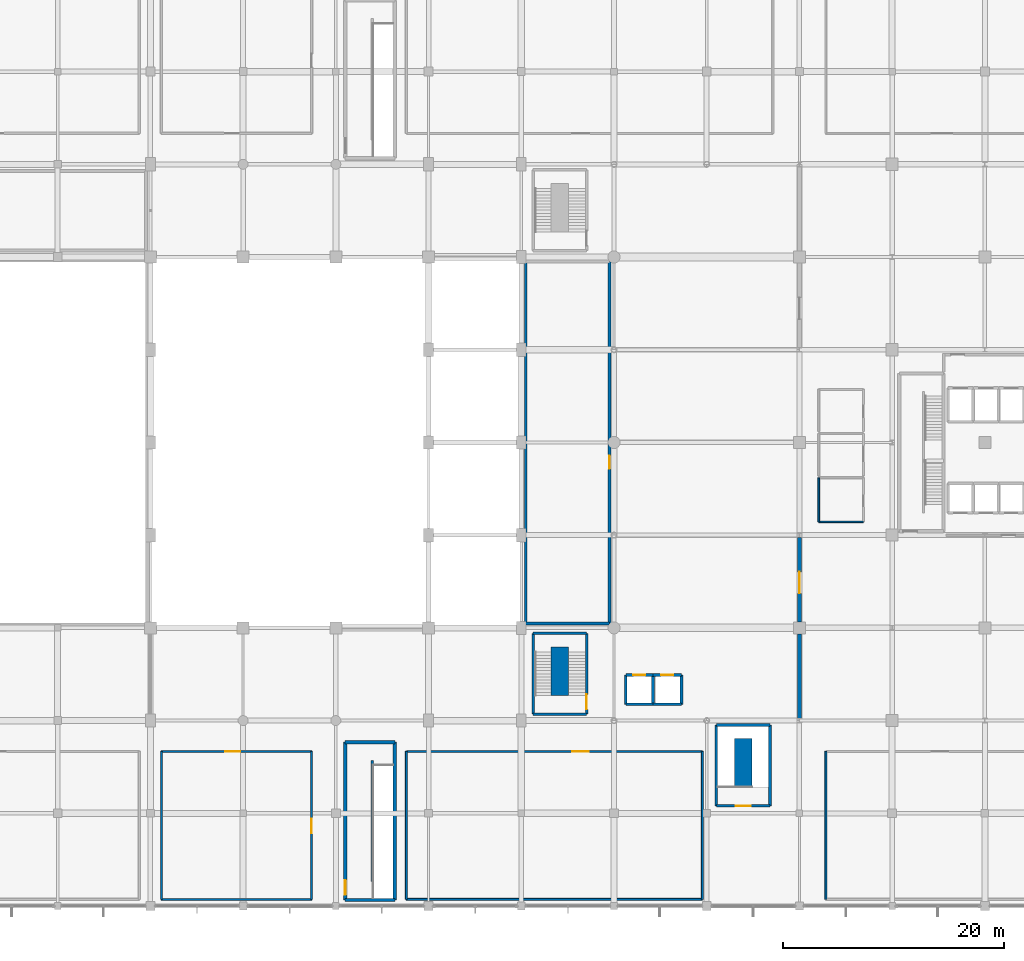
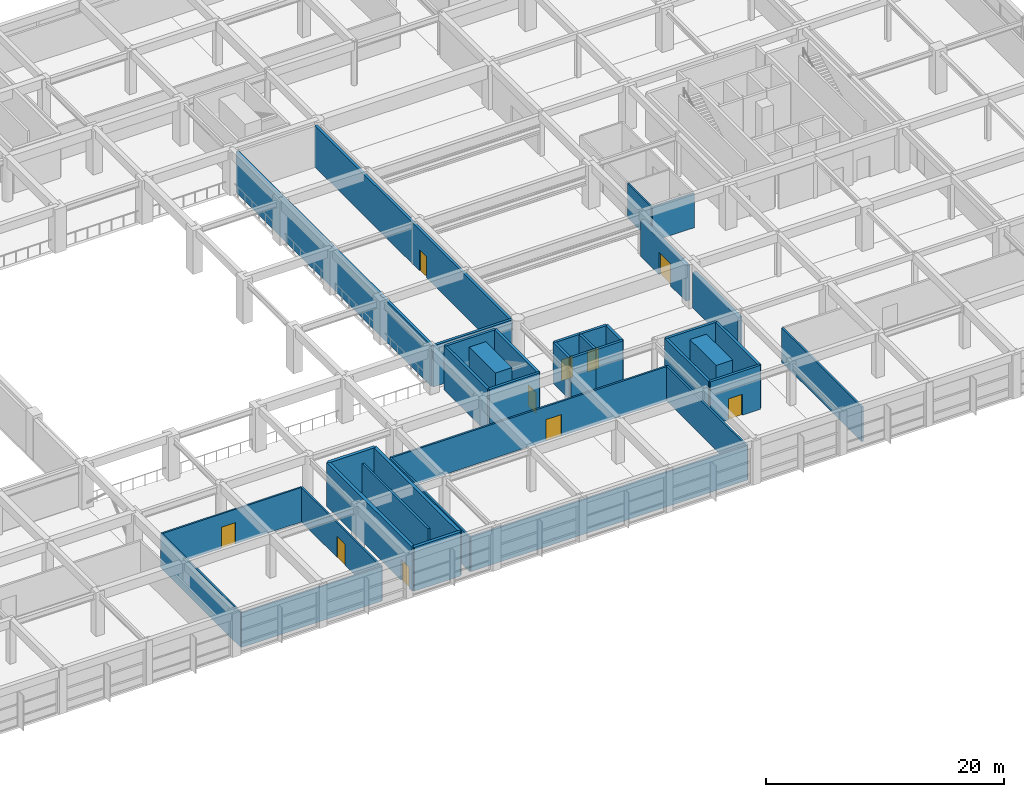
# One storey, part 43 of 56: 38 walls, 10 doors, 10 openings.
"""IFC4 building model written with IfcOpenShell, lengths in metres."""

from ifc_helpers import new_model, si_unit, direction, frame, frame_2d, origin, place, context, subcontext, project, spatial, rectangle, extrude, material, layer, layer_set, type_object, element, fill, save


model = new_model("IFC4")

# Units and contexts
model_context = context("Model", 3, precision=1e-05, world=origin(), true_north=direction((0.0, 1.0)))
body_context = subcontext(model_context, "Body", "Model", "MODEL_VIEW")
ifc_project = project(units=[si_unit("LENGTHUNIT", "METRE"), si_unit("AREAUNIT", "SQUARE_METRE"), si_unit("VOLUMEUNIT", "CUBIC_METRE"), si_unit("PLANEANGLEUNIT", "RADIAN"), si_unit("MASSUNIT", "GRAM", prefix="KILO")], contexts=[model_context])

# Site, building, storey
site_placement = place(None, origin())
site = spatial("IfcSite", under=ifc_project, at=site_placement, CompositionType="ELEMENT")
building_placement = place(site_placement, origin())
building = spatial("IfcBuilding", under=site, at=building_placement, Name="Xuanlan Plaza Opera House", CompositionType="ELEMENT")
storey_placement = place(building_placement, frame((0.0, 0.0, 18.89990234375)))
storey = spatial("IfcBuildingStorey", under=building, at=storey_placement, Name="L04", CompositionType="ELEMENT", Elevation=18.89990234375)

# Wall
ifc_material_1 = material(Name="Gypsum Board and Galvanised Steel Studs", Category="gypsum")
ifc_layer_1 = layer(ifc_material_1, 0.179931640625)
ifc_layer_set_1 = layer_set([ifc_layer_1], Name="Gypsum Board and Galvanised Steel Studs")
wall_type_1 = type_object("IfcWallType", Name="INT-WL-PW-02", PredefinedType="PARTITIONING", material=ifc_layer_set_1)
wall_1_placement = place(storey_placement, frame((90.39990234375, 17.39990234375, 0.0), z_axis=(0.0, 0.0, 1.0), x_axis=(1.0, 0.0, 0.0)))
element("IfcWall", 1, at=wall_1_placement, inside=storey, type_object=wall_type_1, Name="Audio-Visual Equipment Store Wall South", PredefinedType="PARTITIONING", context=body_context, shape_type="SweptSolid", body=[
    extrude(rectangle(XDim=26.800048828125, YDim=0.179931640625, at=frame_2d((13.39990234375, 0.0))), origin(), (0.0, 0.0, 1.0), 3.5400390625),
])

# Wall, opening, door
wall_2_placement = place(storey_placement, frame((90.39990234375, 30.800048828125, 0.0), z_axis=(0.0, 0.0, 1.0), x_axis=(1.0, 0.0, 0.0)))
wall_2 = element("IfcWall", 2, at=wall_2_placement, inside=storey, type_object=wall_type_1, Name="Audio-Visual Equipment Store Wall North", PredefinedType="PARTITIONING", context=body_context, shape_type="SweptSolid", body=[
    extrude(rectangle(XDim=26.800048828125, YDim=0.179931640625, at=frame_2d((13.39990234375, 0.0))), origin(), (0.0, 0.0, 1.0), 3.5400390625),
])
opening_1_placement = place(wall_2_placement, frame((15.0, 0.0, 0.0)))
opening_1 = element("IfcOpeningElement", 3, at=opening_1_placement, cuts=wall_2, Name="Opening D-03", PredefinedType="OPENING", context=body_context, shape_type="SweptSolid", body=[
    extrude(rectangle(XDim=1.5, YDim=2.199951171875, at=frame_2d((0.75, 1.10009765625))), frame((0.0, 0.099853515625, 0.0), z_axis=(0.0, -1.0, 0.0), x_axis=(1.0, 0.0, 0.0)), (0.0, 0.0, 1.0), 0.199951171875),
])
ifc_material_2 = material(Name="Walnut Hardwood Timber", Category="wood")
door_type_1 = type_object("IfcDoorType", Name="INT-DR-D-03", OperationType="DOUBLE_DOOR_SINGLE_SWING", PredefinedType="DOOR", material=ifc_material_2)
door_1_placement = place(opening_1_placement, origin())
door_1 = element("IfcDoor", 4, at=door_1_placement, inside=storey, type_object=door_type_1, Name="Audio-Visual Equipment Store Door 1", OperationType="DOUBLE_DOOR_SINGLE_SWING", OverallHeight=2.199951171875, OverallWidth=1.5, PredefinedType="DOOR", context=body_context, shape_type="SweptSolid", body=[
    extrude(rectangle(XDim=1.5, YDim=2.199951171875, at=frame_2d((0.75, 1.10009765625))), frame((0.0, 0.02490234375, 0.0), z_axis=(0.0, -1.0, 0.0), x_axis=(1.0, 0.0, 0.0)), (0.0, 0.0, 1.0), 0.050048828125),
])
fill(opening_1, door_1)

# Walls
for number, where, z_axis, x_axis, name in (
    (5, (90.39990234375, 17.39990234375, 0.0), (0.0, 0.0, 1.0), (0.0, 1.0, 0.0), "Audio-Visual Equipment Store Wall West"),
    (6, (117.199951171875, 17.39990234375, 0.0), (0.0, 0.0, 1.0), (0.0, 1.0, 0.0), "Audio-Visual Equipment Store Wall East"),
    (7, (128.39990234375, 17.39990234375, 0.0), (0.0, 0.0, 1.0), (0.0, 1.0, 0.0), "Performing Arts Foundation Archive Wall West"),
):
    element("IfcWall", number, at=place(storey_placement, frame(where, z_axis=z_axis, x_axis=x_axis)), inside=storey, type_object=wall_type_1, Name=name, PredefinedType="PARTITIONING", context=body_context, shape_type="SweptSolid", body=[
        extrude(rectangle(XDim=13.400146484375, YDim=0.179931640625, at=frame_2d((6.7001953125, 0.0))), origin(), (0.0, 0.0, 1.0), 3.5400390625),
    ])
ifc_material_3 = material(Name="Autoclaved Aerated Blockwork Masonry", Category="masonry")
ifc_layer_2 = layer(ifc_material_3, 0.14990234375)
ifc_layer_set_2 = layer_set([ifc_layer_2], Name="Autoclaved Aerated Blockwork Masonry")
wall_type_2 = type_object("IfcWallType", Name="INT-WL-PW-03", PredefinedType="PARTITIONING", material=ifc_layer_set_2)
wall_3_placement = place(storey_placement, frame((127.75, 51.60009765625, 0.0), z_axis=(0.0, 0.0, 1.0), x_axis=(1.0, 0.0, 0.0)))
element("IfcWall", 8, at=wall_3_placement, inside=storey, type_object=wall_type_2, Name="Public WC Wall South", PredefinedType="PARTITIONING", context=body_context, shape_type="SweptSolid", body=[
    extrude(rectangle(XDim=4.050048828125, YDim=0.14990234375, at=frame_2d((2.02490234375, 0.0))), origin(), (0.0, 0.0, 1.0), 3.5400390625),
])
wall_4_placement = place(storey_placement, frame((127.75, 51.60009765625, 0.0), z_axis=(0.0, 0.0, 1.0), x_axis=(0.0, 1.0, 0.0)))
element("IfcWall", 9, at=wall_4_placement, inside=storey, type_object=wall_type_2, Name="Public WC Wall West", PredefinedType="PARTITIONING", context=body_context, shape_type="SweptSolid", body=[
    extrude(rectangle(XDim=4.0, YDim=0.14990234375, at=frame_2d((2.0, 0.0))), origin(), (0.0, 0.0, 1.0), 3.5400390625),
])
ifc_layer_3 = layer(ifc_material_1, 0.159912109375)
ifc_layer_set_3 = layer_set([ifc_layer_3], Name="Gypsum Board and Galvanised Steel Studs")
wall_type_3 = type_object("IfcWallType", Name="INT-WL-PW-05", PredefinedType="PARTITIONING", material=ifc_layer_set_3)
wall_5_placement = place(storey_placement, frame((68.199951171875, 17.39990234375, 0.0), z_axis=(0.0, 0.0, 1.0), x_axis=(1.0, 0.0, 0.0)))
element("IfcWall", 10, at=wall_5_placement, inside=storey, type_object=wall_type_3, Name="Stage Projection and Media Studio Wall South", PredefinedType="PARTITIONING", context=body_context, shape_type="SweptSolid", body=[
    extrude(rectangle(XDim=13.60009765625, YDim=0.159912109375, at=frame_2d((6.800048828125, 0.0))), origin(), (0.0, 0.0, 1.0), 3.5400390625),
])

# Wall, opening, door
wall_6_placement = place(storey_placement, frame((68.199951171875, 30.800048828125, 0.0), z_axis=(0.0, 0.0, 1.0), x_axis=(1.0, 0.0, 0.0)))
wall_6 = element("IfcWall", 11, at=wall_6_placement, inside=storey, type_object=wall_type_3, Name="Stage Projection and Media Studio Wall North", PredefinedType="PARTITIONING", context=body_context, shape_type="SweptSolid", body=[
    extrude(rectangle(XDim=13.60009765625, YDim=0.159912109375, at=frame_2d((6.800048828125, 0.0))), origin(), (0.0, 0.0, 1.0), 3.5400390625),
])
opening_2_placement = place(wall_6_placement, frame((5.800048828125, 0.0, 0.0)))
opening_2 = element("IfcOpeningElement", 12, at=opening_2_placement, cuts=wall_6, Name="Opening D-07", PredefinedType="OPENING", context=body_context, shape_type="SweptSolid", body=[
    extrude(rectangle(XDim=1.320068359375, YDim=2.179931640625, at=frame_2d((0.66015625, 1.08984375))), frame((0.0, 0.08984375, 0.0), z_axis=(0.0, -1.0, 0.0), x_axis=(1.0, 0.0, 0.0)), (0.0, 0.0, 1.0), 0.179931640625),
])
door_type_2 = type_object("IfcDoorType", Name="INT-DR-D-07", OperationType="NOTDEFINED", PredefinedType="DOOR", material=ifc_material_2)
door_2_placement = place(opening_2_placement, origin())
door_2 = element("IfcDoor", 13, at=door_2_placement, inside=storey, type_object=door_type_2, Name="Stage Projection and Media Studio Door 1", OperationType="SINGLE_SWING_LEFT", OverallHeight=2.179931640625, OverallWidth=1.320068359375, PredefinedType="DOOR", context=body_context, shape_type="SweptSolid", body=[
    extrude(rectangle(XDim=1.320068359375, YDim=2.179931640625, at=frame_2d((0.66015625, 1.08984375))), frame((0.0, 0.02490234375, 0.0), z_axis=(0.0, -1.0, 0.0), x_axis=(1.0, 0.0, 0.0)), (0.0, 0.0, 1.0), 0.050048828125),
])
fill(opening_2, door_2)

# Wall
wall_7_placement = place(storey_placement, frame((68.199951171875, 17.39990234375, 0.0), z_axis=(0.0, 0.0, 1.0), x_axis=(0.0, 1.0, 0.0)))
element("IfcWall", 14, at=wall_7_placement, inside=storey, type_object=wall_type_3, Name="Stage Projection and Media Studio Wall West", PredefinedType="PARTITIONING", context=body_context, shape_type="SweptSolid", body=[
    extrude(rectangle(XDim=13.400146484375, YDim=0.159912109375, at=frame_2d((6.7001953125, 0.0))), origin(), (0.0, 0.0, 1.0), 3.5400390625),
])

# Wall, opening, door
wall_8_placement = place(storey_placement, frame((81.800048828125, 17.39990234375, 0.0), z_axis=(0.0, 0.0, 1.0), x_axis=(0.0, 1.0, 0.0)))
wall_8 = element("IfcWall", 15, at=wall_8_placement, inside=storey, type_object=wall_type_3, Name="Stage Projection and Media Studio Wall East", PredefinedType="PARTITIONING", context=body_context, shape_type="SweptSolid", body=[
    extrude(rectangle(XDim=13.400146484375, YDim=0.159912109375, at=frame_2d((6.7001953125, 0.0))), origin(), (0.0, 0.0, 1.0), 3.5400390625),
])
opening_3_placement = place(wall_8_placement, frame((6.0, 0.0, 0.0)))
opening_3 = element("IfcOpeningElement", 16, at=opening_3_placement, cuts=wall_8, Name="Opening D-07", PredefinedType="OPENING", context=body_context, shape_type="SweptSolid", body=[
    extrude(rectangle(XDim=1.320068359375, YDim=2.179931640625, at=frame_2d((0.66015625, 1.08984375))), frame((0.0, 0.08984375, 0.0), z_axis=(0.0, -1.0, 0.0), x_axis=(1.0, 0.0, 0.0)), (0.0, 0.0, 1.0), 0.179931640625),
])
door_3_placement = place(opening_3_placement, origin())
door_3 = element("IfcDoor", 17, at=door_3_placement, inside=storey, type_object=door_type_2, Name="Stage Projection and Media Studio Door 1", OperationType="SINGLE_SWING_LEFT", OverallHeight=2.179931640625, OverallWidth=1.320068359375, PredefinedType="DOOR", context=body_context, shape_type="SweptSolid", body=[
    extrude(rectangle(XDim=1.320068359375, YDim=2.179931640625, at=frame_2d((0.66015625, 1.08984375))), frame((0.0, 0.02490234375, 0.0), z_axis=(0.0, -1.0, 0.0), x_axis=(1.0, 0.0, 0.0)), (0.0, 0.0, 1.0), 0.050048828125),
])
fill(opening_3, door_3)

# Wall
ifc_material_4 = material(Name="Concrete C50", Category="concrete")
ifc_layer_4 = layer(ifc_material_4, 0.3798828125)
ifc_layer_set_4 = layer_set([ifc_layer_4], Name="Concrete C50")
wall_type_4 = type_object("IfcWallType", Name="INT-WL-SW-FW1", PredefinedType="SHEAR", material=ifc_layer_set_4)
wall_9_placement = place(storey_placement, frame((126.0, 33.800048828125, 0.0), z_axis=(0.0, 0.0, 1.0), x_axis=(0.0, 1.0, 0.0)))
element("IfcWall", 18, at=wall_9_placement, inside=storey, type_object=wall_type_4, Name="Opera-Tower Compartment Firewall L04-01", PredefinedType="SHEAR", context=body_context, shape_type="SweptSolid", body=[
    extrude(rectangle(XDim=7.64990234375, YDim=0.3798828125, at=frame_2d((3.824951171875, 0.0))), origin(), (0.0, 0.0, 1.0), 3.650146484375),
])

# Wall, opening, door
wall_10_placement = place(storey_placement, frame((126.0, 42.550048828125, 0.0), z_axis=(0.0, 0.0, 1.0), x_axis=(0.0, 1.0, 0.0)))
wall_10 = element("IfcWall", 19, at=wall_10_placement, inside=storey, type_object=wall_type_4, Name="Opera-Tower Compartment Firewall L04-02", PredefinedType="SHEAR", context=body_context, shape_type="SweptSolid", body=[
    extrude(rectangle(XDim=7.64990234375, YDim=0.3798828125, at=frame_2d((3.824951171875, 0.0))), origin(), (0.0, 0.0, 1.0), 3.650146484375),
])
opening_4_placement = place(wall_10_placement, frame((2.574951171875, 0.0, 0.0)))
opening_4 = element("IfcOpeningElement", 20, at=opening_4_placement, cuts=wall_10, Name="Opening FD-04", PredefinedType="OPENING", context=body_context, shape_type="SweptSolid", body=[
    extrude(rectangle(XDim=1.949951171875, YDim=2.300048828125, at=frame_2d((0.97509765625, 1.14990234375))), frame((0.0, 0.199951171875, 0.0), z_axis=(0.0, -1.0, 0.0), x_axis=(1.0, 0.0, 0.0)), (0.0, 0.0, 1.0), 0.39990234375),
])
ifc_material_5 = material(Name="Galvanised Steel Q235B", Category="steel")
door_type_3 = type_object("IfcDoorType", Name="INT-DR-FD-04", OperationType="DOUBLE_DOOR_SINGLE_SWING", PredefinedType="DOOR", material=ifc_material_5)
door_4_placement = place(opening_4_placement, origin())
door_4 = element("IfcDoor", 21, at=door_4_placement, inside=storey, type_object=door_type_3, Name="Compartment Firewall Door L04-02", OperationType="DOUBLE_DOOR_SINGLE_SWING", OverallHeight=2.300048828125, OverallWidth=1.949951171875, PredefinedType="DOOR", context=body_context, shape_type="SweptSolid", body=[
    extrude(rectangle(XDim=1.949951171875, YDim=2.300048828125, at=frame_2d((0.97509765625, 1.14990234375))), frame((0.0, 0.02490234375, 0.0), z_axis=(0.0, -1.0, 0.0), x_axis=(1.0, 0.0, 0.0)), (0.0, 0.0, 1.0), 0.050048828125),
])
fill(opening_4, door_4)

# Wall
ifc_material_6 = material(Name="Concrete C40", Category="concrete")
ifc_layer_5 = layer(ifc_material_6, 0.25)
ifc_layer_set_5 = layer_set([ifc_layer_5], Name="Concrete C40")
wall_type_5 = type_object("IfcWallType", Name="INT-WL-SW-LF1", PredefinedType="SHEAR", material=ifc_layer_set_5)
wall_11_placement = place(storey_placement, frame((110.27490234375, 35.074951171875, 0.0), z_axis=(0.0, 0.0, 1.0), x_axis=(1.0, 0.0, 0.0)))
element("IfcWall", 22, at=wall_11_placement, inside=storey, type_object=wall_type_5, Name="Lift Shaft Wall LF-OP1 L04 South", PredefinedType="SHEAR", context=body_context, shape_type="SweptSolid", body=[
    extrude(rectangle(XDim=2.4501953125, YDim=0.25, at=frame_2d((1.22509765625, 0.0))), origin(), (0.0, 0.0, 1.0), 4.22021484375),
])

# Wall, opening, door
wall_12_placement = place(storey_placement, frame((110.27490234375, 37.72509765625, 0.0), z_axis=(0.0, 0.0, 1.0), x_axis=(1.0, 0.0, 0.0)))
wall_12 = element("IfcWall", 23, at=wall_12_placement, inside=storey, type_object=wall_type_5, Name="Lift Shaft Wall LF-OP1 L04 North", PredefinedType="SHEAR", context=body_context, shape_type="SweptSolid", body=[
    extrude(rectangle(XDim=2.4501953125, YDim=0.25, at=frame_2d((1.22509765625, 0.0))), origin(), (0.0, 0.0, 1.0), 4.22021484375),
])
opening_5_placement = place(wall_12_placement, frame((0.675048828125, 0.0, 0.0)))
opening_5 = element("IfcOpeningElement", 24, at=opening_5_placement, cuts=wall_12, Name="Opening LD-OP1-L04", PredefinedType="OPENING", context=body_context, shape_type="SweptSolid", body=[
    extrude(rectangle(XDim=1.10009765625, YDim=2.14990234375, at=frame_2d((0.550048828125, 1.074951171875))), frame((0.0, 0.135009765625, 0.0), z_axis=(0.0, -1.0, 0.0), x_axis=(1.0, 0.0, 0.0)), (0.0, 0.0, 1.0), 0.27001953125),
])
ifc_material_7 = material(Name="Stainless Steel S30408", Category="steel")
door_type_4 = type_object("IfcDoorType", Name="INT-DR-LD-01", OperationType="DOUBLE_DOOR_SLIDING", PredefinedType="DOOR", material=ifc_material_7)
door_5_placement = place(opening_5_placement, origin())
door_5 = element("IfcDoor", 25, at=door_5_placement, inside=storey, type_object=door_type_4, Name="Lift Sliding Landing Door LF-OP1 L04", OperationType="DOUBLE_DOOR_SLIDING", OverallHeight=2.14990234375, OverallWidth=1.10009765625, PredefinedType="DOOR", context=body_context, shape_type="SweptSolid", body=[
    extrude(rectangle(XDim=1.10009765625, YDim=2.14990234375, at=frame_2d((0.550048828125, 1.074951171875))), frame((0.0, 0.02490234375, 0.0), z_axis=(0.0, -1.0, 0.0), x_axis=(1.0, 0.0, 0.0)), (0.0, 0.0, 1.0), 0.050048828125),
])
fill(opening_5, door_5)

# Walls
for number, where, z_axis, x_axis, name in (
    (26, (110.27490234375, 35.074951171875, 0.0), (0.0, 0.0, 1.0), (0.0, 1.0, 0.0), "Lift Shaft Wall LF-OP1 L04 West"),
    (27, (112.72509765625, 35.074951171875, 0.0), (0.0, 0.0, 1.0), (0.0, 1.0, 0.0), "Lift Shaft Wall LF-OP1 L04 East"),
):
    element("IfcWall", number, at=place(storey_placement, frame(where, z_axis=z_axis, x_axis=x_axis)), inside=storey, type_object=wall_type_5, Name=name, PredefinedType="SHEAR", context=body_context, shape_type="SweptSolid", body=[
        extrude(rectangle(XDim=2.650146484375, YDim=0.25, at=frame_2d((1.3251953125, 0.0))), origin(), (0.0, 0.0, 1.0), 4.22021484375),
    ])
wall_13_placement = place(storey_placement, frame((112.72509765625, 35.074951171875, 0.0), z_axis=(0.0, 0.0, 1.0), x_axis=(1.0, 0.0, 0.0)))
element("IfcWall", 28, at=wall_13_placement, inside=storey, type_object=wall_type_5, Name="Lift Shaft Wall LF-OP2 L04 South", PredefinedType="SHEAR", context=body_context, shape_type="SweptSolid", body=[
    extrude(rectangle(XDim=2.599853515625, YDim=0.25, at=frame_2d((1.2998046875, 0.0))), origin(), (0.0, 0.0, 1.0), 4.22021484375),
])

# Wall, opening, door
wall_14_placement = place(storey_placement, frame((112.72509765625, 37.72509765625, 0.0), z_axis=(0.0, 0.0, 1.0), x_axis=(1.0, 0.0, 0.0)))
wall_14 = element("IfcWall", 29, at=wall_14_placement, inside=storey, type_object=wall_type_5, Name="Lift Shaft Wall LF-OP2 L04 North", PredefinedType="SHEAR", context=body_context, shape_type="SweptSolid", body=[
    extrude(rectangle(XDim=2.599853515625, YDim=0.25, at=frame_2d((1.2998046875, 0.0))), origin(), (0.0, 0.0, 1.0), 4.22021484375),
])
opening_6_placement = place(wall_14_placement, frame((0.75, 0.0, 0.0)))
opening_6 = element("IfcOpeningElement", 30, at=opening_6_placement, cuts=wall_14, Name="Opening LD-OP2-L04", PredefinedType="OPENING", context=body_context, shape_type="SweptSolid", body=[
    extrude(rectangle(XDim=1.10009765625, YDim=2.14990234375, at=frame_2d((0.550048828125, 1.074951171875))), frame((0.0, 0.135009765625, 0.0), z_axis=(0.0, -1.0, 0.0), x_axis=(1.0, 0.0, 0.0)), (0.0, 0.0, 1.0), 0.27001953125),
])
door_6_placement = place(opening_6_placement, origin())
door_6 = element("IfcDoor", 31, at=door_6_placement, inside=storey, type_object=door_type_4, Name="Lift Sliding Landing Door LF-OP2 L04", OperationType="DOUBLE_DOOR_SLIDING", OverallHeight=2.14990234375, OverallWidth=1.10009765625, PredefinedType="DOOR", context=body_context, shape_type="SweptSolid", body=[
    extrude(rectangle(XDim=1.10009765625, YDim=2.14990234375, at=frame_2d((0.550048828125, 1.074951171875))), frame((0.0, 0.02490234375, 0.0), z_axis=(0.0, -1.0, 0.0), x_axis=(1.0, 0.0, 0.0)), (0.0, 0.0, 1.0), 0.050048828125),
])
fill(opening_6, door_6)

# Walls
wall_15_placement = place(storey_placement, frame((115.324951171875, 35.074951171875, 0.0), z_axis=(0.0, 0.0, 1.0), x_axis=(0.0, 1.0, 0.0)))
element("IfcWall", 32, at=wall_15_placement, inside=storey, type_object=wall_type_5, Name="Lift Shaft Wall LF-OP2 L04 East", PredefinedType="SHEAR", context=body_context, shape_type="SweptSolid", body=[
    extrude(rectangle(XDim=2.650146484375, YDim=0.25, at=frame_2d((1.3251953125, 0.0))), origin(), (0.0, 0.0, 1.0), 4.22021484375),
])
wall_16_placement = place(storey_placement, frame((101.199951171875, 42.39990234375, 0.0), z_axis=(0.0, 0.0, 1.0), x_axis=(1.0, 0.0, 0.0)))
element("IfcWall", 33, at=wall_16_placement, inside=storey, type_object=wall_type_5, Name="Acoustic Cloud Technical Room Wall South", PredefinedType="SHEAR", context=body_context, shape_type="SweptSolid", body=[
    extrude(rectangle(XDim=7.60009765625, YDim=0.25, at=frame_2d((3.800048828125, 0.0))), origin(), (0.0, 0.0, 1.0), 4.22021484375),
])
wall_17_placement = place(storey_placement, frame((101.199951171875, 42.39990234375, 0.0), z_axis=(0.0, 0.0, 1.0), x_axis=(0.0, 1.0, 0.0)))
element("IfcWall", 34, at=wall_17_placement, inside=storey, type_object=wall_type_5, Name="Acoustic Cloud Technical Room Wall West", PredefinedType="SHEAR", context=body_context, shape_type="SweptSolid", body=[
    extrude(rectangle(XDim=32.800048828125, YDim=0.25, at=frame_2d((16.39990234375, 0.0))), origin(), (0.0, 0.0, 1.0), 4.22021484375),
])

# Wall, opening, door
wall_18_placement = place(storey_placement, frame((108.800048828125, 42.39990234375, 0.0), z_axis=(0.0, 0.0, 1.0), x_axis=(0.0, 1.0, 0.0)))
wall_18 = element("IfcWall", 35, at=wall_18_placement, inside=storey, type_object=wall_type_5, Name="Acoustic Cloud Technical Room Wall East", PredefinedType="SHEAR", context=body_context, shape_type="SweptSolid", body=[
    extrude(rectangle(XDim=32.800048828125, YDim=0.25, at=frame_2d((16.39990234375, 0.0))), origin(), (0.0, 0.0, 1.0), 4.22021484375),
])
opening_7_placement = place(wall_18_placement, frame((14.0, 0.0, 0.0)))
opening_7 = element("IfcOpeningElement", 36, at=opening_7_placement, cuts=wall_18, Name="Opening FD-02", PredefinedType="OPENING", context=body_context, shape_type="SweptSolid", body=[
    extrude(rectangle(XDim=1.199951171875, YDim=2.14990234375, at=frame_2d((0.60009765625, 1.074951171875))), frame((0.0, 0.135009765625, 0.0), z_axis=(0.0, -1.0, 0.0), x_axis=(1.0, 0.0, 0.0)), (0.0, 0.0, 1.0), 0.27001953125),
])
door_type_5 = type_object("IfcDoorType", Name="INT-DR-FD-02", OperationType="NOTDEFINED", PredefinedType="DOOR", material=ifc_material_5)
door_7_placement = place(opening_7_placement, origin())
door_7 = element("IfcDoor", 37, at=door_7_placement, inside=storey, type_object=door_type_5, Name="Acoustic Cloud Technical Room Door 1", OperationType="SINGLE_SWING_RIGHT", OverallHeight=2.14990234375, OverallWidth=1.199951171875, PredefinedType="DOOR", context=body_context, shape_type="SweptSolid", body=[
    extrude(rectangle(XDim=1.199951171875, YDim=2.14990234375, at=frame_2d((0.60009765625, 1.074951171875))), frame((0.0, 0.02490234375, 0.0), z_axis=(0.0, -1.0, 0.0), x_axis=(1.0, 0.0, 0.0)), (0.0, 0.0, 1.0), 0.050048828125),
])
fill(opening_7, door_7)

# Walls
ifc_layer_6 = layer(ifc_material_4, 1.60009765625)
ifc_layer_set_6 = layer_set([ifc_layer_6], Name="Concrete C50")
wall_type_6 = type_object("IfcWallType", Name="INT-WL-SW-SP2", PredefinedType="SHEAR", material=ifc_layer_set_6)
wall_19_placement = place(storey_placement, frame((104.300048828125, 35.8798828125, 0.0), z_axis=(0.0, 0.0, 1.0), x_axis=(0.0, 1.0, 0.0)))
element("IfcWall", 38, at=wall_19_placement, inside=storey, type_object=wall_type_6, Name="Half-Turn Stair Structural Spine Wall ST-F1 L04", PredefinedType="SHEAR", context=body_context, shape_type="SweptSolid", body=[
    extrude(rectangle(XDim=4.400146484375, YDim=1.60009765625, at=frame_2d((2.2001953125, 0.0))), origin(), (0.0, 0.0, 1.0), 4.5),
])
wall_20_placement = place(storey_placement, frame((120.89990234375, 27.580078125, 0.0), z_axis=(0.0, 0.0, 1.0), x_axis=(0.0, 1.0, 0.0)))
element("IfcWall", 39, at=wall_20_placement, inside=storey, type_object=wall_type_6, Name="Half-Turn Stair Structural Spine Wall ST-F3 L04", PredefinedType="SHEAR", context=body_context, shape_type="SweptSolid", body=[
    extrude(rectangle(XDim=4.39990234375, YDim=1.60009765625, at=frame_2d((2.199951171875, 0.0))), origin(), (0.0, 0.0, 1.0), 4.5),
])
ifc_layer_7 = layer(ifc_material_6, 0.199951171875)
ifc_layer_set_7 = layer_set([ifc_layer_7], Name="Concrete C40")
wall_type_7 = type_object("IfcWallType", Name="INT-WL-SW-SPN", PredefinedType="SHEAR", material=ifc_layer_set_7)
wall_21_placement = place(storey_placement, frame((87.300048828125, 19.0, 0.0), z_axis=(0.0, 0.0, 1.0), x_axis=(0.0, 1.0, 0.0)))
element("IfcWall", 40, at=wall_21_placement, inside=storey, type_object=wall_type_7, Name="Stair Structural Spine Wall ST-P3 L04", PredefinedType="SHEAR", context=body_context, shape_type="SweptSolid", body=[
    extrude(rectangle(XDim=11.0, YDim=0.199951171875, at=frame_2d((5.5, 0.0))), origin(), (0.0, 0.0, 1.0), 4.5),
])
ifc_layer_8 = layer(ifc_material_6, 0.300048828125)
ifc_layer_set_8 = layer_set([ifc_layer_8], Name="Concrete C40")
wall_type_8 = type_object("IfcWallType", Name="INT-WL-SW-ST1", PredefinedType="SHEAR", material=ifc_layer_set_8)
for number, where, z_axis, x_axis, name in (
    (41, (84.85009765625, 17.35009765625, 0.0), (0.0, 0.0, 1.0), (1.0, 0.0, 0.0), "Stair Core Wall ST-P3 L04 South"),
    (42, (84.85009765625, 31.64990234375, 0.0), (0.0, 0.0, 1.0), (1.0, 0.0, 0.0), "Stair Core Wall ST-P3 L04 North"),
):
    element("IfcWall", number, at=place(storey_placement, frame(where, z_axis=z_axis, x_axis=x_axis)), inside=storey, type_object=wall_type_8, Name=name, PredefinedType="SHEAR", context=body_context, shape_type="SweptSolid", body=[
        extrude(rectangle(XDim=4.5, YDim=0.300048828125, at=frame_2d((2.25, 0.0))), origin(), (0.0, 0.0, 1.0), 4.5),
    ])

# Wall, opening, door
wall_22_placement = place(storey_placement, frame((84.85009765625, 17.35009765625, 0.0), z_axis=(0.0, 0.0, 1.0), x_axis=(0.0, 1.0, 0.0)))
wall_22 = element("IfcWall", 43, at=wall_22_placement, inside=storey, type_object=wall_type_8, Name="Stair Core Wall ST-P3 L04 West", PredefinedType="SHEAR", context=body_context, shape_type="SweptSolid", body=[
    extrude(rectangle(XDim=14.2998046875, YDim=0.300048828125, at=frame_2d((7.14990234375, 0.0))), origin(), (0.0, 0.0, 1.0), 4.5),
])
opening_8_placement = place(wall_22_placement, frame((0.449951171875, 0.0, 0.0)))
opening_8 = element("IfcOpeningElement", 44, at=opening_8_placement, cuts=wall_22, Name="Opening FD-ST2", PredefinedType="OPENING", context=body_context, shape_type="SweptSolid", body=[
    extrude(rectangle(XDim=1.35009765625, YDim=2.14990234375, at=frame_2d((0.675048828125, 1.074951171875))), frame((0.0, 0.159912109375, 0.0), z_axis=(0.0, -1.0, 0.0), x_axis=(1.0, 0.0, 0.0)), (0.0, 0.0, 1.0), 0.320068359375),
])
door_type_6 = type_object("IfcDoorType", Name="INT-DR-FD-ST2", OperationType="NOTDEFINED", PredefinedType="DOOR", material=ifc_material_5)
door_8_placement = place(opening_8_placement, frame((1.35009765625, 0.0, 0.0), z_axis=(0.0, 0.0, 1.0), x_axis=(-1.0, 0.0, 0.0)))
door_8 = element("IfcDoor", 45, at=door_8_placement, inside=storey, type_object=door_type_6, Name="Stair Enclosure Fire Door ST-P3 L04", OperationType="SINGLE_SWING_LEFT", OverallHeight=2.14990234375, OverallWidth=1.35009765625, PredefinedType="DOOR", context=body_context, shape_type="SweptSolid", body=[
    extrude(rectangle(XDim=1.35009765625, YDim=2.14990234375, at=frame_2d((0.675048828125, 1.074951171875))), frame((0.0, 0.02490234375, 0.0), z_axis=(0.0, -1.0, 0.0), x_axis=(1.0, 0.0, 0.0)), (0.0, 0.0, 1.0), 0.050048828125),
])
fill(opening_8, door_8)

# Walls
wall_23_placement = place(storey_placement, frame((89.35009765625, 17.35009765625, 0.0), z_axis=(0.0, 0.0, 1.0), x_axis=(0.0, 1.0, 0.0)))
element("IfcWall", 46, at=wall_23_placement, inside=storey, type_object=wall_type_8, Name="Stair Core Wall ST-P3 L04 East", PredefinedType="SHEAR", context=body_context, shape_type="SweptSolid", body=[
    extrude(rectangle(XDim=14.2998046875, YDim=0.300048828125, at=frame_2d((7.14990234375, 0.0))), origin(), (0.0, 0.0, 1.0), 4.5),
])
ifc_layer_9 = layer(ifc_material_6, 0.25)
ifc_layer_set_9 = layer_set([ifc_layer_9], Name="Concrete C40")
wall_type_9 = type_object("IfcWallType", Name="INT-WL-SW-ST2", PredefinedType="SHEAR", material=ifc_layer_set_9)
for number, where, z_axis, x_axis, name in (
    (47, (101.875, 34.175048828125, 0.0), (0.0, 0.0, 1.0), (1.0, 0.0, 0.0), "Stair Core Wall ST-F1 L04 South"),
    (48, (101.875, 41.5048828125, 0.0), (0.0, 0.0, 1.0), (1.0, 0.0, 0.0), "Stair Core Wall ST-F1 L04 North"),
):
    element("IfcWall", number, at=place(storey_placement, frame(where, z_axis=z_axis, x_axis=x_axis)), inside=storey, type_object=wall_type_9, Name=name, PredefinedType="SHEAR", context=body_context, shape_type="SweptSolid", body=[
        extrude(rectangle(XDim=4.85009765625, YDim=0.25, at=frame_2d((2.425048828125, 0.0))), origin(), (0.0, 0.0, 1.0), 4.5),
    ])
wall_24_placement = place(storey_placement, frame((101.875, 34.175048828125, 0.0), z_axis=(0.0, 0.0, 1.0), x_axis=(0.0, 1.0, 0.0)))
element("IfcWall", 49, at=wall_24_placement, inside=storey, type_object=wall_type_9, Name="Stair Core Wall ST-F1 L04 West", PredefinedType="SHEAR", context=body_context, shape_type="SweptSolid", body=[
    extrude(rectangle(XDim=7.329833984375, YDim=0.25, at=frame_2d((3.6650390625, 0.0))), origin(), (0.0, 0.0, 1.0), 4.5),
])

# Wall, opening, door
wall_25_placement = place(storey_placement, frame((106.72509765625, 34.175048828125, 0.0), z_axis=(0.0, 0.0, 1.0), x_axis=(0.0, 1.0, 0.0)))
wall_25 = element("IfcWall", 50, at=wall_25_placement, inside=storey, type_object=wall_type_9, Name="Stair Core Wall ST-F1 L04 East", PredefinedType="SHEAR", context=body_context, shape_type="SweptSolid", body=[
    extrude(rectangle(XDim=7.329833984375, YDim=0.25, at=frame_2d((3.6650390625, 0.0))), origin(), (0.0, 0.0, 1.0), 4.5),
])
opening_9_placement = place(wall_25_placement, frame((0.449951171875, 0.0, 0.0)))
opening_9 = element("IfcOpeningElement", 51, at=opening_9_placement, cuts=wall_25, Name="Opening FD-ST2", PredefinedType="OPENING", context=body_context, shape_type="SweptSolid", body=[
    extrude(rectangle(XDim=1.35009765625, YDim=2.14990234375, at=frame_2d((0.675048828125, 1.074951171875))), frame((0.0, 0.135009765625, 0.0), z_axis=(0.0, -1.0, 0.0), x_axis=(1.0, 0.0, 0.0)), (0.0, 0.0, 1.0), 0.27001953125),
])
door_9_placement = place(opening_9_placement, origin())
door_9 = element("IfcDoor", 52, at=door_9_placement, inside=storey, type_object=door_type_6, Name="Stair Enclosure Fire Door ST-F1 L04", OperationType="SINGLE_SWING_LEFT", OverallHeight=2.14990234375, OverallWidth=1.35009765625, PredefinedType="DOOR", context=body_context, shape_type="SweptSolid", body=[
    extrude(rectangle(XDim=1.35009765625, YDim=2.14990234375, at=frame_2d((0.675048828125, 1.074951171875))), frame((0.0, 0.02490234375, 0.0), z_axis=(0.0, -1.0, 0.0), x_axis=(1.0, 0.0, 0.0)), (0.0, 0.0, 1.0), 0.050048828125),
])
fill(opening_9, door_9)

wall_26_placement = place(storey_placement, frame((118.47509765625, 25.875, 0.0), z_axis=(0.0, 0.0, 1.0), x_axis=(1.0, 0.0, 0.0)))
wall_26 = element("IfcWall", 53, at=wall_26_placement, inside=storey, type_object=wall_type_9, Name="Stair Core Wall ST-F3 L04 South", PredefinedType="SHEAR", context=body_context, shape_type="SweptSolid", body=[
    extrude(rectangle(XDim=4.849853515625, YDim=0.25, at=frame_2d((2.4248046875, 0.0))), origin(), (0.0, 0.0, 1.0), 4.5),
])
opening_10_placement = place(wall_26_placement, frame((1.75, 0.0, 0.0)))
opening_10 = element("IfcOpeningElement", 54, at=opening_10_placement, cuts=wall_26, Name="Opening FD-ST2", PredefinedType="OPENING", context=body_context, shape_type="SweptSolid", body=[
    extrude(rectangle(XDim=1.35009765625, YDim=2.14990234375, at=frame_2d((0.675048828125, 1.074951171875))), frame((0.0, 0.135009765625, 0.0), z_axis=(0.0, -1.0, 0.0), x_axis=(1.0, 0.0, 0.0)), (0.0, 0.0, 1.0), 0.27001953125),
])
door_10_placement = place(opening_10_placement, origin())
door_10 = element("IfcDoor", 55, at=door_10_placement, inside=storey, type_object=door_type_6, Name="Stair Enclosure Fire Door ST-F3 L04", OperationType="SINGLE_SWING_RIGHT", OverallHeight=2.14990234375, OverallWidth=1.35009765625, PredefinedType="DOOR", context=body_context, shape_type="SweptSolid", body=[
    extrude(rectangle(XDim=1.35009765625, YDim=2.14990234375, at=frame_2d((0.675048828125, 1.074951171875))), frame((0.0, 0.02490234375, 0.0), z_axis=(0.0, -1.0, 0.0), x_axis=(1.0, 0.0, 0.0)), (0.0, 0.0, 1.0), 0.050048828125),
])
fill(opening_10, door_10)

# Walls
wall_27_placement = place(storey_placement, frame((118.47509765625, 33.205078125, 0.0), z_axis=(0.0, 0.0, 1.0), x_axis=(1.0, 0.0, 0.0)))
element("IfcWall", 56, at=wall_27_placement, inside=storey, type_object=wall_type_9, Name="Stair Core Wall ST-F3 L04 North", PredefinedType="SHEAR", context=body_context, shape_type="SweptSolid", body=[
    extrude(rectangle(XDim=4.849853515625, YDim=0.25, at=frame_2d((2.4248046875, 0.0))), origin(), (0.0, 0.0, 1.0), 4.5),
])
for number, where, z_axis, x_axis, name in (
    (57, (118.47509765625, 25.875, 0.0), (0.0, 0.0, 1.0), (0.0, 1.0, 0.0), "Stair Core Wall ST-F3 L04 West"),
    (58, (123.324951171875, 25.875, 0.0), (0.0, 0.0, 1.0), (0.0, 1.0, 0.0), "Stair Core Wall ST-F3 L04 East"),
):
    element("IfcWall", number, at=place(storey_placement, frame(where, z_axis=z_axis, x_axis=x_axis)), inside=storey, type_object=wall_type_9, Name=name, PredefinedType="SHEAR", context=body_context, shape_type="SweptSolid", body=[
        extrude(rectangle(XDim=7.330078125, YDim=0.25, at=frame_2d((3.6650390625, 0.0))), origin(), (0.0, 0.0, 1.0), 4.5),
    ])

save(model, "model.ifc")
